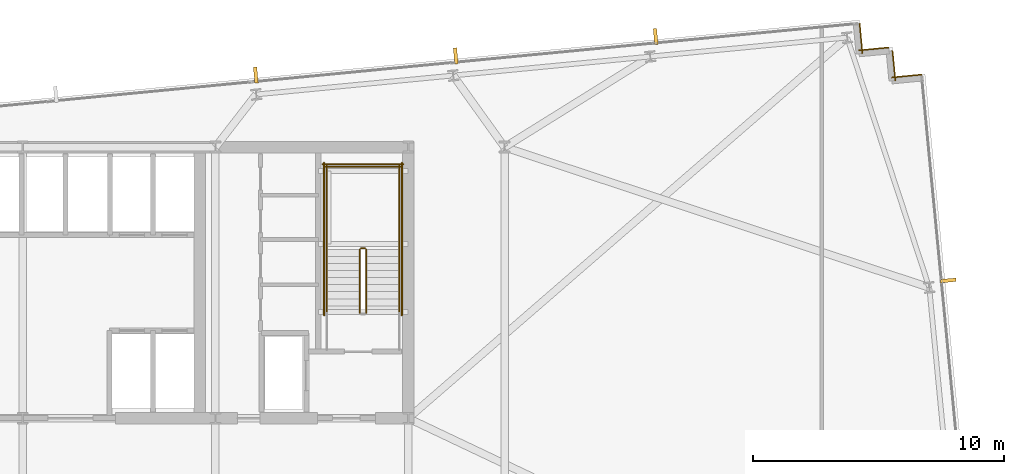
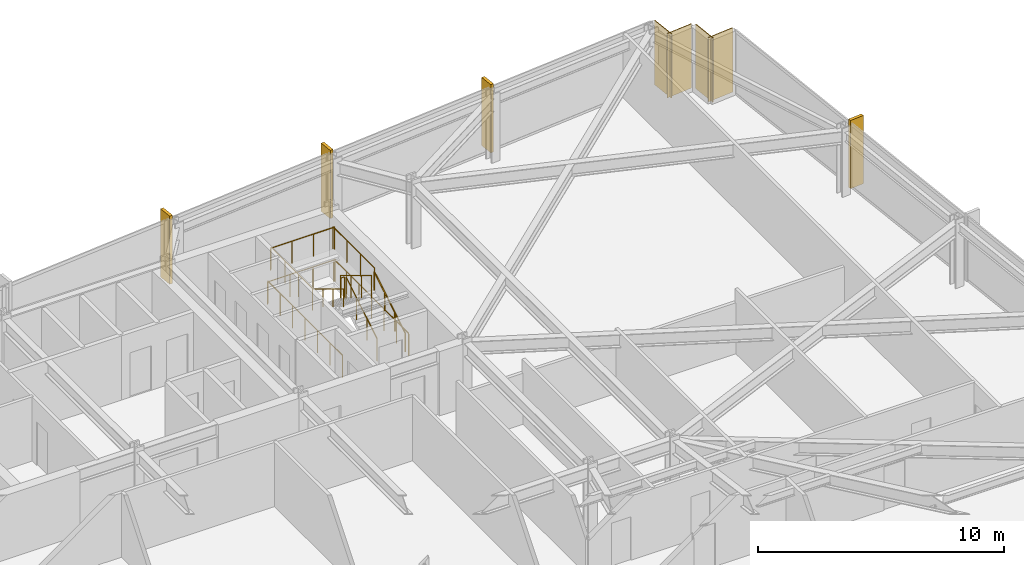
# One storey, part 33 of 33: 11 railings, 4 coverings, 4 shading devices.
"""IFC4 building model written with IfcOpenShell, lengths in metres."""

from ifc_helpers import new_model, si_unit, direction, frame, frame_2d, origin, origin_2d, place, context, subcontext, project, spatial, rectangle, circle, extrude, material, layer, layer_set, type_object, element, save


model = new_model("IFC4")

# Units and contexts
model_context = context("Model", 3, precision=1e-05, world=origin(), true_north=direction((0.0, 1.0)))
body_context = subcontext(model_context, "Body", "Model", "MODEL_VIEW")
ifc_project = project(units=[si_unit("LENGTHUNIT", "METRE"), si_unit("AREAUNIT", "SQUARE_METRE"), si_unit("VOLUMEUNIT", "CUBIC_METRE"), si_unit("PLANEANGLEUNIT", "RADIAN"), si_unit("MASSUNIT", "GRAM", prefix="KILO")], contexts=[model_context])

# Site, building, storey
site_placement = place(None, origin())
site = spatial("IfcSite", under=ifc_project, at=site_placement, CompositionType="ELEMENT")
building_placement = place(site_placement, origin())
building = spatial("IfcBuilding", under=site, at=building_placement, Name="Yelkora Congress Tower", CompositionType="ELEMENT")
storey_placement = place(building_placement, frame((0.0, 0.0, 127.10009765625)))
storey = spatial("IfcBuildingStorey", under=building, at=storey_placement, Name="L34", CompositionType="ELEMENT", Elevation=127.10009765625)

# Coverings
ifc_material_1 = material(Name="Anatolian bush-hammered limestone", Category="masonry")
ifc_layer_1 = layer(ifc_material_1, 0.0400390625)
ifc_layer_set_1 = layer_set([ifc_layer_1], Name="Anatolian bush-hammered limestone")
covering_type = type_object("IfcCoveringType", Name="COV-CLAD-SPANDREL-40", PredefinedType="CLADDING", material=ifc_layer_set_1)
for number, where, z_axis, x_axis, name in (
    (1, (71.74609375, 51.1279296875, 0.0), (0.0, 0.0, 1.0), (0.095817067274, -0.995398960025, 0.0), "L34 Anatolian Limestone Cladding EW-L34-SR11"),
    (2, (71.7138671875, 50.0546875, 0.0), (0.0, 0.0, 1.0), (0.995379537303, 0.096018626938, 0.0), "L34 Anatolian Limestone Cladding EW-L34-SR12"),
):
    element("IfcCovering", number, at=place(storey_placement, frame(where, z_axis=z_axis, x_axis=x_axis)), inside=storey, type_object=covering_type, Name=name, PredefinedType="CLADDING", context=body_context, shape_type="SweptSolid", body=[
        extrude(rectangle(XDim=1.2001953125, YDim=0.0400390625, at=frame_2d((0.60009765625, 0.0))), origin(), (0.0, 0.0, 1.0), 3.179931640625),
    ])
covering_1_placement = place(storey_placement, frame((73.0556640625, 50.04833984375, 0.0), z_axis=(0.0, 0.0, 1.0), x_axis=(0.095836473879, -0.995397091755, 0.0)))
element("IfcCovering", 3, at=covering_1_placement, inside=storey, type_object=covering_type, Name="L34 Anatolian Limestone Cladding EW-L34-SR13", PredefinedType="CLADDING", context=body_context, shape_type="SweptSolid", body=[
    extrude(rectangle(XDim=1.199951171875, YDim=0.0400390625, at=frame_2d((0.60009765625, 0.0))), origin(), (0.0, 0.0, 1.0), 3.179931640625),
])
covering_2_placement = place(storey_placement, frame((73.0234375, 48.975341796875, 0.0), z_axis=(0.0, 0.0, 1.0), x_axis=(0.995398960025, 0.095817067274, 0.0)))
element("IfcCovering", 4, at=covering_2_placement, inside=storey, type_object=covering_type, Name="L34 Anatolian Limestone Cladding EW-L34-SR14", PredefinedType="CLADDING", context=body_context, shape_type="SweptSolid", body=[
    extrude(rectangle(XDim=1.2001953125, YDim=0.0400390625, at=frame_2d((0.60009765625, 0.0))), origin(), (0.0, 0.0, 1.0), 3.179931640625),
])

# Railings
ifc_material_2 = material(Name="Painted galvanised steel stair well guard with vertical infill", Category="steel")
ifc_layer_2 = layer(ifc_material_2, 0.06005859375)
ifc_layer_set_2 = layer_set([ifc_layer_2], Name="Painted galvanised steel stair well guard with vertical infill")
railing_type_1 = type_object("IfcRailingType", Name="RAIL-STAIR-GUARD-1120", PredefinedType="GUARDRAIL", material=ifc_layer_set_2)
railing_1_placement = place(storey_placement, frame((52.090087890625, 39.60009765625, 0.169921875)))
element("IfcRailing", 5, at=railing_1_placement, inside=storey, type_object=railing_type_1, Name="ST-02 L34 Stair Well Guardrail 1", PredefinedType="GUARDRAIL", context=body_context, shape_type="SweptSolid", body=[
    extrude(circle(Radius=0.02392578125, at=origin_2d()), frame((0.0, 0.0, 1.09619140625), z_axis=(0.0, 0.85478489116, 0.518982456201), x_axis=(-1.0, 0.0, 0.0)), (0.0, 0.0, 1.0), 2.9482421875),
    extrude(circle(Radius=0.02099609375, at=origin_2d()), origin(), (0.0, 0.0, 1.0), 1.072021484375),
    extrude(circle(Radius=0.02099609375, at=origin_2d()), frame((0.0, 0.840087890625, 0.510009765625)), (0.0, 0.0, 1.0), 1.072021484375),
    extrude(circle(Radius=0.02099609375, at=origin_2d()), frame((0.0, 1.679931640625, 1.02001953125)), (0.0, 0.0, 1.0), 1.072021484375),
    extrude(circle(Radius=0.02099609375, at=origin_2d()), frame((0.0, 2.52001953125, 1.530029296875)), (0.0, 0.0, 1.0), 1.072021484375),
])
railing_2_placement = place(storey_placement, frame((52.0400390625, 42.169921875, 1.699951171875)))
element("IfcRailing", 6, at=railing_2_placement, inside=storey, type_object=railing_type_1, Name="ST-02 L34 Stair Well Guardrail 2", PredefinedType="GUARDRAIL", context=body_context, shape_type="SweptSolid", body=[
    extrude(circle(Radius=0.02392578125, at=origin_2d()), frame((0.0, 0.0, 1.09619140625), z_axis=(-1.0, 0.0, 0.0), x_axis=(0.0, -1.0, 0.0)), (0.0, 0.0, 1.0), 0.16015625),
    extrude(circle(Radius=0.02099609375, at=origin_2d()), origin(), (0.0, 0.0, 1.0), 1.072021484375),
    extrude(circle(Radius=0.02099609375, at=origin_2d()), frame((-0.16015625, 0.0, 0.0)), (0.0, 0.0, 1.0), 1.072021484375),
])
for number, where, name in (
    (7, (53.409912109375, 42.1201171875, 1.699951171875), "ST-02 L34 Stair Well Guardrail 3"),
    (8, (50.510009765625, 42.1201171875, 1.699951171875), "ST-02 L34 Stair Well Guardrail 4"),
):
    element("IfcRailing", number, at=place(storey_placement, frame(where)), inside=storey, type_object=railing_type_1, Name=name, PredefinedType="GUARDRAIL", context=body_context, shape_type="SweptSolid", body=[
        extrude(circle(Radius=0.02392578125, at=origin_2d()), frame((0.0, 0.0, 1.09619140625), z_axis=(0.0, 1.0, 0.0), x_axis=(-1.0, 0.0, 0.0)), (0.0, 0.0, 1.0), 3.349853515625),
        extrude(circle(Radius=0.02099609375, at=origin_2d()), origin(), (0.0, 0.0, 1.0), 1.072021484375),
        extrude(circle(Radius=0.02099609375, at=origin_2d()), frame((0.0, 1.11669921875, 0.0)), (0.0, 0.0, 1.0), 1.072021484375),
        extrude(circle(Radius=0.02099609375, at=origin_2d()), frame((0.0, 2.233154296875, 0.0)), (0.0, 0.0, 1.0), 1.072021484375),
        extrude(circle(Radius=0.02099609375, at=origin_2d()), frame((0.0, 3.349853515625, 0.0)), (0.0, 0.0, 1.0), 1.072021484375),
    ])
railing_3_placement = place(storey_placement, frame((53.4599609375, 45.419921875, 1.699951171875)))
element("IfcRailing", 9, at=railing_3_placement, inside=storey, type_object=railing_type_1, Name="ST-02 L34 Stair Well Guardrail 5", PredefinedType="GUARDRAIL", context=body_context, shape_type="SweptSolid", body=[
    extrude(circle(Radius=0.02392578125, at=origin_2d()), frame((0.0, 0.0, 1.09619140625), z_axis=(-1.0, 0.0, 0.0), x_axis=(0.0, -1.0, 0.0)), (0.0, 0.0, 1.0), 3.0),
    extrude(circle(Radius=0.02099609375, at=origin_2d()), origin(), (0.0, 0.0, 1.0), 1.072021484375),
    extrude(circle(Radius=0.02099609375, at=origin_2d()), frame((-1.0, 0.0, 0.0)), (0.0, 0.0, 1.0), 1.072021484375),
    extrude(circle(Radius=0.02099609375, at=origin_2d()), frame((-2.0, 0.0, 0.0)), (0.0, 0.0, 1.0), 1.072021484375),
    extrude(circle(Radius=0.02099609375, at=origin_2d()), frame((-3.0, 0.0, 0.0)), (0.0, 0.0, 1.0), 1.072021484375),
])
railing_4_placement = place(storey_placement, frame((51.830078125, 42.1201171875, 1.869873046875)))
element("IfcRailing", 10, at=railing_4_placement, inside=storey, type_object=railing_type_1, Name="ST-02 L34 Stair Well Guardrail 6", PredefinedType="GUARDRAIL", context=body_context, shape_type="SweptSolid", body=[
    extrude(circle(Radius=0.02392578125, at=origin_2d()), frame((0.0, 0.0, 1.09619140625), z_axis=(0.0, -0.85478489116, 0.518982456201), x_axis=(1.0, 0.0, 0.0)), (0.0, 0.0, 1.0), 2.9482421875),
    extrude(circle(Radius=0.02099609375, at=origin_2d()), origin(), (0.0, 0.0, 1.0), 1.072021484375),
    extrude(circle(Radius=0.02099609375, at=origin_2d()), frame((0.0, -0.840087890625, 0.510009765625)), (0.0, 0.0, 1.0), 1.072021484375),
    extrude(circle(Radius=0.02099609375, at=origin_2d()), frame((0.0, -1.679931640625, 1.02001953125)), (0.0, 0.0, 1.0), 1.072021484375),
    extrude(circle(Radius=0.02099609375, at=origin_2d()), frame((0.0, -2.52001953125, 1.530029296875)), (0.0, 0.0, 1.0), 1.072021484375),
])
for number, where, name in (
    (11, (53.510009765625, 39.5, 0.0), "ST-02 L34 Stair Well Guardrail 10"),
    (12, (50.409912109375, 39.5, 0.0), "ST-02 L34 Stair Well Guardrail 11"),
):
    element("IfcRailing", number, at=place(storey_placement, frame(where)), inside=storey, type_object=railing_type_1, Name=name, PredefinedType="GUARDRAIL", context=body_context, shape_type="SweptSolid", body=[
        extrude(circle(Radius=0.02392578125, at=origin_2d()), frame((0.0, 0.0, 1.09619140625), z_axis=(0.0, 1.0, 0.0), x_axis=(-1.0, 0.0, 0.0)), (0.0, 0.0, 1.0), 6.070068359375),
        extrude(circle(Radius=0.02099609375, at=origin_2d()), origin(), (0.0, 0.0, 1.0), 1.072021484375),
        extrude(circle(Radius=0.02099609375, at=origin_2d()), frame((0.0, 1.01171875, 0.0)), (0.0, 0.0, 1.0), 1.072021484375),
        extrude(circle(Radius=0.02099609375, at=origin_2d()), frame((0.0, 2.0234375, 0.0)), (0.0, 0.0, 1.0), 1.072021484375),
        extrude(circle(Radius=0.02099609375, at=origin_2d()), frame((0.0, 3.03515625, 0.0)), (0.0, 0.0, 1.0), 1.072021484375),
        extrude(circle(Radius=0.02099609375, at=origin_2d()), frame((0.0, 4.046630859375, 0.0)), (0.0, 0.0, 1.0), 1.072021484375),
        extrude(circle(Radius=0.02099609375, at=origin_2d()), frame((0.0, 5.058349609375, 0.0)), (0.0, 0.0, 1.0), 1.072021484375),
        extrude(circle(Radius=0.02099609375, at=origin_2d()), frame((0.0, 6.070068359375, 0.0)), (0.0, 0.0, 1.0), 1.072021484375),
    ])
railing_5_placement = place(storey_placement, frame((53.56005859375, 45.52001953125, 0.0)))
element("IfcRailing", 13, at=railing_5_placement, inside=storey, type_object=railing_type_1, Name="ST-02 L34 Stair Well Guardrail 12", PredefinedType="GUARDRAIL", context=body_context, shape_type="SweptSolid", body=[
    extrude(circle(Radius=0.02392578125, at=origin_2d()), frame((0.0, 0.0, 1.09619140625), z_axis=(-1.0, 0.0, 0.0), x_axis=(0.0, -1.0, 0.0)), (0.0, 0.0, 1.0), 3.199951171875),
    extrude(circle(Radius=0.02099609375, at=origin_2d()), origin(), (0.0, 0.0, 1.0), 1.072021484375),
    extrude(circle(Radius=0.02099609375, at=origin_2d()), frame((-1.066650390625, 0.0, 0.0)), (0.0, 0.0, 1.0), 1.072021484375),
    extrude(circle(Radius=0.02099609375, at=origin_2d()), frame((-2.13330078125, 0.0, 0.0)), (0.0, 0.0, 1.0), 1.072021484375),
    extrude(circle(Radius=0.02099609375, at=origin_2d()), frame((-3.199951171875, 0.0, 0.0)), (0.0, 0.0, 1.0), 1.072021484375),
])
ifc_material_3 = material(Name="Brushed stainless steel tubular handrail", Category="steel")
ifc_layer_3 = layer(ifc_material_3, 0.050048828125)
ifc_layer_set_3 = layer_set([ifc_layer_3], Name="Brushed stainless steel tubular handrail")
railing_type_2 = type_object("IfcRailingType", Name="RAIL-STAIR-HAND-920", PredefinedType="HANDRAIL", material=ifc_layer_set_3)
railing_6_placement = place(storey_placement, frame((53.409912109375, 39.60009765625, 0.169921875)))
element("IfcRailing", 14, at=railing_6_placement, inside=storey, type_object=railing_type_2, Name="ST-02 L34 Pitch Handrail 1", PredefinedType="HANDRAIL", context=body_context, shape_type="SweptSolid", body=[
    extrude(circle(Radius=0.02392578125, at=origin_2d()), frame((0.0, 0.0, 0.89599609375), z_axis=(0.0, 0.85478489116, 0.518982456201), x_axis=(-1.0, 0.0, 0.0)), (0.0, 0.0, 1.0), 2.9482421875),
    extrude(circle(Radius=0.02099609375, at=origin_2d()), origin(), (0.0, 0.0, 1.0), 0.871826171875),
    extrude(circle(Radius=0.02099609375, at=origin_2d()), frame((0.0, 0.840087890625, 0.510009765625)), (0.0, 0.0, 1.0), 0.871826171875),
    extrude(circle(Radius=0.02099609375, at=origin_2d()), frame((0.0, 1.679931640625, 1.02001953125)), (0.0, 0.0, 1.0), 0.871826171875),
    extrude(circle(Radius=0.02099609375, at=origin_2d()), frame((0.0, 2.52001953125, 1.530029296875)), (0.0, 0.0, 1.0), 0.871826171875),
])
railing_7_placement = place(storey_placement, frame((50.510009765625, 42.1201171875, 1.869873046875)))
element("IfcRailing", 15, at=railing_7_placement, inside=storey, type_object=railing_type_2, Name="ST-02 L34 Pitch Handrail 2", PredefinedType="HANDRAIL", context=body_context, shape_type="SweptSolid", body=[
    extrude(circle(Radius=0.02392578125, at=origin_2d()), frame((0.0, 0.0, 0.89599609375), z_axis=(0.0, -0.85478489116, 0.518982456201), x_axis=(1.0, 0.0, 0.0)), (0.0, 0.0, 1.0), 2.9482421875),
    extrude(circle(Radius=0.02099609375, at=origin_2d()), origin(), (0.0, 0.0, 1.0), 0.871826171875),
    extrude(circle(Radius=0.02099609375, at=origin_2d()), frame((0.0, -0.840087890625, 0.510009765625)), (0.0, 0.0, 1.0), 0.871826171875),
    extrude(circle(Radius=0.02099609375, at=origin_2d()), frame((0.0, -1.679931640625, 1.02001953125)), (0.0, 0.0, 1.0), 0.871826171875),
    extrude(circle(Radius=0.02099609375, at=origin_2d()), frame((0.0, -2.52001953125, 1.530029296875)), (0.0, 0.0, 1.0), 0.871826171875),
])

# Shading devices
ifc_material_4 = material(Name="Champagne anodised aluminium", Category="aluminium")
ifc_layer_4 = layer(ifc_material_4, 3.39990234375)
ifc_layer_set_4 = layer_set([ifc_layer_4], Name="Champagne anodised aluminium")
shading_device_type = type_object("IfcShadingDeviceType", Name="SHD-FIN-ALU-640", PredefinedType="USERDEFINED", material=ifc_layer_set_4)
for number, where, z_axis, x_axis, name in (
    (16, (47.68896484375, 49.072509765625, -0.030029296875), (0.0, 0.0, 1.0), (0.995396198367, 0.09584575252, 0.0), "L34 Vertical Anodised Solar Fin 10-4"),
    (17, (55.65478515625, 49.839599609375, -0.030029296875), (0.0, 0.0, 1.0), (0.995396198367, 0.09584575252, 0.0), "L34 Vertical Anodised Solar Fin 10-5"),
    (18, (63.620849609375, 50.606689453125, -0.030029296875), (0.0, 0.0, 1.0), (0.995396198367, 0.09584575252, 0.0), "L34 Vertical Anodised Solar Fin 10-6"),
    (19, (75.268798828125, 40.888427734375, -0.030029296875), (0.0, 0.0, 1.0), (0.09584575252, -0.995396198367, 0.0), "L34 Vertical Anodised Solar Fin 15-1"),
):
    element("IfcShadingDevice", number, at=place(storey_placement, frame(where, z_axis=z_axis, x_axis=x_axis)), inside=storey, type_object=shading_device_type, Name=name, ObjectType="FIN", PredefinedType="USERDEFINED", context=body_context, shape_type="SweptSolid", body=[
        extrude(rectangle(XDim=0.139892578125, YDim=0.639892578125, at=origin_2d()), origin(), (0.0, 0.0, 1.0), 3.3798828125),
    ])

save(model, "model.ifc")
